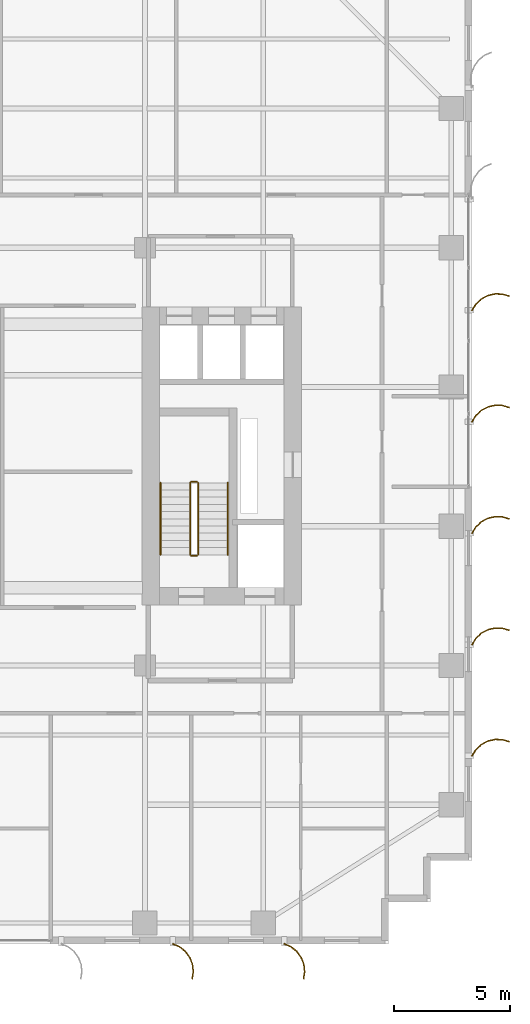
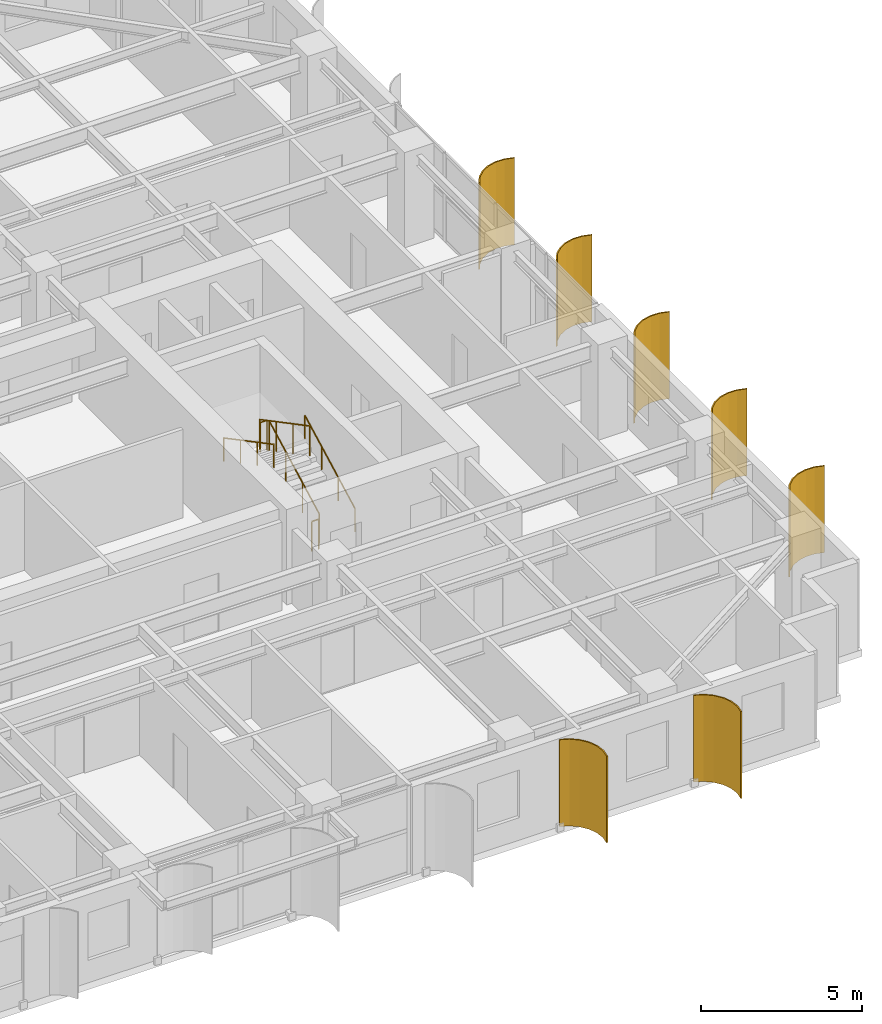
# One storey, part 24 of 25: 7 shading devices, 6 railings.
"""IFC4 building model written with IfcOpenShell, lengths in metres."""

from ifc_helpers import new_model, si_unit, direction, frame, origin, origin_2d, place, context, subcontext, project, spatial, polyline, circle, outline, extrude, source, transform, mapped, material, layer, layer_set, type_object, element, save


model = new_model("IFC4")

# Units and contexts
model_context = context("Model", 3, precision=1e-05, world=origin(), true_north=direction((0.0, 1.0)))
body_context = subcontext(model_context, "Body", "Model", "MODEL_VIEW")
ifc_project = project(units=[si_unit("LENGTHUNIT", "METRE"), si_unit("AREAUNIT", "SQUARE_METRE"), si_unit("VOLUMEUNIT", "CUBIC_METRE"), si_unit("PLANEANGLEUNIT", "RADIAN"), si_unit("MASSUNIT", "GRAM", prefix="KILO")], contexts=[model_context])

# Site, building, storey
site_placement = place(None, origin())
site = spatial("IfcSite", under=ifc_project, at=site_placement, CompositionType="ELEMENT")
building_placement = place(site_placement, origin())
building = spatial("IfcBuilding", under=site, at=building_placement, Name="Khoralis Quay Care Tower", CompositionType="ELEMENT")
storey_placement = place(building_placement, frame((0.0, 0.0, 134.10009765625)))
storey = spatial("IfcBuildingStorey", under=building, at=storey_placement, Name="L35", CompositionType="ELEMENT", Elevation=134.10009765625)

# Railings
ifc_material_1 = material(Name="Brushed stainless steel", Category="steel")
railing_type_1 = type_object("IfcRailingType", Name="RL-GUARD-1150", PredefinedType="GUARDRAIL", material=ifc_material_1)
railing_1_placement = place(storey_placement, frame((33.18994140625, 16.77001953125, 0.16357421875)))
element("IfcRailing", 1, at=railing_1_placement, inside=storey, type_object=railing_type_1, Name="L35 ST-T2 stair guard 1", PredefinedType="GUARDRAIL", context=body_context, shape_type="SweptSolid", body=[
    extrude(circle(Radius=0.02392578125, at=origin_2d()), frame((0.0, 0.0, 1.1259765625), z_axis=(0.0, 0.884376766648, 0.46677375099), x_axis=(-1.0, 0.0, 0.0)), (0.0, 0.0, 1.0), 3.50537109375),
    extrude(circle(Radius=0.02099609375, at=origin_2d()), origin(), (0.0, 0.0, 1.0), 1.101806640625),
    extrude(circle(Radius=0.02099609375, at=origin_2d()), frame((0.0, 1.033447265625, 0.54541015625)), (0.0, 0.0, 1.0), 1.101806640625),
    extrude(circle(Radius=0.02099609375, at=origin_2d()), frame((0.0, 2.066650390625, 1.0908203125)), (0.0, 0.0, 1.0), 1.101806640625),
    extrude(circle(Radius=0.02099609375, at=origin_2d()), frame((0.0, 3.10009765625, 1.63623046875)), (0.0, 0.0, 1.0), 1.101806640625),
])
railing_2_placement = place(storey_placement, frame((33.139892578125, 19.919921875, 1.7998046875)))
element("IfcRailing", 2, at=railing_2_placement, inside=storey, type_object=railing_type_1, Name="L35 ST-T2 stair guard 2", PredefinedType="GUARDRAIL", context=body_context, shape_type="SweptSolid", body=[
    extrude(circle(Radius=0.02392578125, at=origin_2d()), frame((0.0, 0.0, 1.1259765625), z_axis=(-1.0, 0.0, 0.0), x_axis=(0.0, -1.0, 0.0)), (0.0, 0.0, 1.0), 0.239990234375),
    extrude(circle(Radius=0.02099609375, at=origin_2d()), origin(), (0.0, 0.0, 1.0), 1.101806640625),
    extrude(circle(Radius=0.02099609375, at=origin_2d()), frame((-0.239990234375, 0.0, 0.0)), (0.0, 0.0, 1.0), 1.101806640625),
])
railing_3_placement = place(storey_placement, frame((32.85009765625, 19.8701171875, 1.963623046875)))
element("IfcRailing", 3, at=railing_3_placement, inside=storey, type_object=railing_type_1, Name="L35 ST-T2 stair guard 3", PredefinedType="GUARDRAIL", context=body_context, shape_type="SweptSolid", body=[
    extrude(circle(Radius=0.02392578125, at=origin_2d()), frame((0.0, 0.0, 1.1259765625), z_axis=(0.0, -0.884376766648, 0.46677375099), x_axis=(1.0, 0.0, 0.0)), (0.0, 0.0, 1.0), 3.50537109375),
    extrude(circle(Radius=0.02099609375, at=origin_2d()), origin(), (0.0, 0.0, 1.0), 1.101806640625),
    extrude(circle(Radius=0.02099609375, at=origin_2d()), frame((0.0, -1.033447265625, 0.54541015625)), (0.0, 0.0, 1.0), 1.101806640625),
    extrude(circle(Radius=0.02099609375, at=origin_2d()), frame((0.0, -2.066650390625, 1.0908203125)), (0.0, 0.0, 1.0), 1.101806640625),
    extrude(circle(Radius=0.02099609375, at=origin_2d()), frame((0.0, -3.10009765625, 1.63623046875)), (0.0, 0.0, 1.0), 1.101806640625),
])
railing_4_placement = place(storey_placement, frame((33.139892578125, 16.719970703125, 0.0)))
element("IfcRailing", 4, at=railing_4_placement, inside=storey, type_object=railing_type_1, Name="L35 ST-T2 stair guard 4", PredefinedType="GUARDRAIL", context=body_context, shape_type="SweptSolid", body=[
    extrude(circle(Radius=0.02392578125, at=origin_2d()), frame((0.0, 0.0, 1.1259765625), z_axis=(-1.0, 0.0, 0.0), x_axis=(0.0, -1.0, 0.0)), (0.0, 0.0, 1.0), 0.239990234375),
    extrude(circle(Radius=0.02099609375, at=origin_2d()), origin(), (0.0, 0.0, 1.0), 1.101806640625),
    extrude(circle(Radius=0.02099609375, at=origin_2d()), frame((-0.239990234375, 0.0, 0.0)), (0.0, 0.0, 1.0), 1.101806640625),
])
railing_type_2 = type_object("IfcRailingType", Name="RL-HAND-900", PredefinedType="HANDRAIL", material=ifc_material_1)
railing_5_placement = place(storey_placement, frame((34.469970703125, 16.77001953125, 0.16357421875)))
element("IfcRailing", 5, at=railing_5_placement, inside=storey, type_object=railing_type_2, Name="L35 ST-T2 stair handrail 1", PredefinedType="HANDRAIL", context=body_context, shape_type="SweptSolid", body=[
    extrude(circle(Radius=0.02392578125, at=origin_2d()), frame((0.0, 0.0, 0.8759765625), z_axis=(0.0, 0.884376766648, 0.46677375099), x_axis=(-1.0, 0.0, 0.0)), (0.0, 0.0, 1.0), 3.50537109375),
    extrude(circle(Radius=0.02099609375, at=origin_2d()), origin(), (0.0, 0.0, 1.0), 0.851806640625),
    extrude(circle(Radius=0.02099609375, at=origin_2d()), frame((0.0, 1.033447265625, 0.54541015625)), (0.0, 0.0, 1.0), 0.851806640625),
    extrude(circle(Radius=0.02099609375, at=origin_2d()), frame((0.0, 2.066650390625, 1.0908203125)), (0.0, 0.0, 1.0), 0.851806640625),
    extrude(circle(Radius=0.02099609375, at=origin_2d()), frame((0.0, 3.10009765625, 1.63623046875)), (0.0, 0.0, 1.0), 0.851806640625),
])
railing_6_placement = place(storey_placement, frame((31.570068359375, 19.8701171875, 1.963623046875)))
element("IfcRailing", 6, at=railing_6_placement, inside=storey, type_object=railing_type_2, Name="L35 ST-T2 stair handrail 2", PredefinedType="HANDRAIL", context=body_context, shape_type="SweptSolid", body=[
    extrude(circle(Radius=0.02392578125, at=origin_2d()), frame((0.0, 0.0, 0.8759765625), z_axis=(0.0, -0.884376766648, 0.46677375099), x_axis=(1.0, 0.0, 0.0)), (0.0, 0.0, 1.0), 3.50537109375),
    extrude(circle(Radius=0.02099609375, at=origin_2d()), origin(), (0.0, 0.0, 1.0), 0.851806640625),
    extrude(circle(Radius=0.02099609375, at=origin_2d()), frame((0.0, -1.033447265625, 0.54541015625)), (0.0, 0.0, 1.0), 0.851806640625),
    extrude(circle(Radius=0.02099609375, at=origin_2d()), frame((0.0, -2.066650390625, 1.0908203125)), (0.0, 0.0, 1.0), 0.851806640625),
    extrude(circle(Radius=0.02099609375, at=origin_2d()), frame((0.0, -3.10009765625, 1.63623046875)), (0.0, 0.0, 1.0), 0.851806640625),
])

# Shading devices
ifc_material_2 = material(Name="Brushed pale anodised aluminium", Category="aluminium")
ifc_layer = layer(ifc_material_2, 0.044921875)
ifc_layer_set = layer_set([ifc_layer], Name="Brushed pale anodised aluminium")
shading_device_type = type_object("IfcShadingDeviceType", Name="SHD-FIN-1250", PredefinedType="USERDEFINED", material=ifc_layer_set)
shared_shape_1 = source(origin(), body_context, "Body", "SweptSolid", [
    extrude(outline(polyline([(0.0, 0.0), (0.17041015625, 0.2783203125), (0.4072265625, 0.5029296875), (0.694091796875, 0.658447265625), (1.01123046875, 0.734619140625), (1.33740234375, 0.72607421875), (1.650390625, 0.633544921875), (1.632080078125, 0.59228515625), (1.330322265625, 0.681640625), (1.015869140625, 0.68994140625), (0.710205078125, 0.616455078125), (0.43359375, 0.466552734375), (0.20556640625, 0.25), (0.041015625, -0.018310546875), (0.0, 0.0)])), origin(), (0.0, 0.0, 1.0), 3.27978515625),
])
for number, where, z_axis, x_axis, name in (
    (7, (44.969970703125, 8.10009765625, 0.02001953125), (0.0, 0.0, 1.0), (1.0, 0.0, 0.0), "L35 Curved Solar Fin P1E5-01"),
    (8, (44.969970703125, 12.89990234375, 0.02001953125), (0.0, 0.0, 1.0), (1.0, 0.0, 0.0), "L35 Curved Solar Fin P1E5-02"),
    (9, (44.969970703125, 17.699951171875, 0.02001953125), (0.0, 0.0, 1.0), (1.0, 0.0, 0.0), "L35 Curved Solar Fin P1E5-03"),
    (10, (44.969970703125, 22.5, 0.02001953125), (0.0, 0.0, 1.0), (1.0, 0.0, 0.0), "L35 Curved Solar Fin P1E5-04"),
    (11, (44.969970703125, 27.300048828125, 0.02001953125), (0.0, 0.0, 1.0), (1.0, 0.0, 0.0), "L35 Curved Solar Fin P1E5-05"),
):
    element("IfcShadingDevice", number, at=place(storey_placement, frame(where, z_axis=z_axis, x_axis=x_axis)), inside=storey, type_object=shading_device_type, Name=name, ObjectType="FIN", PredefinedType="USERDEFINED", context=body_context, shape_type="MappedRepresentation", body=[
        mapped(shared_shape_1, transform((0.0, 0.0, 0.0), scale=1.0)),
    ])
shared_shape_2 = source(origin(), body_context, "Body", "SweptSolid", [
    extrude(outline(polyline([(0.0, 0.0), (0.130126953125, 0.29931640625), (0.333251953125, 0.5546875), (0.595458984375, 0.748779296875), (0.899169921875, 0.868408203125), (1.223388671875, 0.9052734375), (1.546142578125, 0.85693359375), (1.53369140625, 0.813720703125), (1.22265625, 0.8603515625), (0.91015625, 0.82470703125), (0.617431640625, 0.70947265625), (0.364501953125, 0.522216796875), (0.168701171875, 0.276123046875), (0.043212890625, -0.012451171875), (0.0, 0.0)])), origin(), (0.0, 0.0, 1.0), 3.27978515625),
])
for number, where, z_axis, x_axis, name in (
    (12, (32.10009765625, 0.030029296875, 0.02001953125), (0.0, 0.0, 1.0), (0.0, -1.0, 0.0), "L35 Curved Solar Fin P1E0-06"),
    (13, (36.89990234375, 0.030029296875, 0.02001953125), (0.0, 0.0, 1.0), (0.0, -1.0, 0.0), "L35 Curved Solar Fin P1E0-07"),
):
    element("IfcShadingDevice", number, at=place(storey_placement, frame(where, z_axis=z_axis, x_axis=x_axis)), inside=storey, type_object=shading_device_type, Name=name, ObjectType="FIN", PredefinedType="USERDEFINED", context=body_context, shape_type="MappedRepresentation", body=[
        mapped(shared_shape_2, transform((0.0, 0.0, 0.0), scale=1.0)),
    ])

save(model, "model.ifc")
